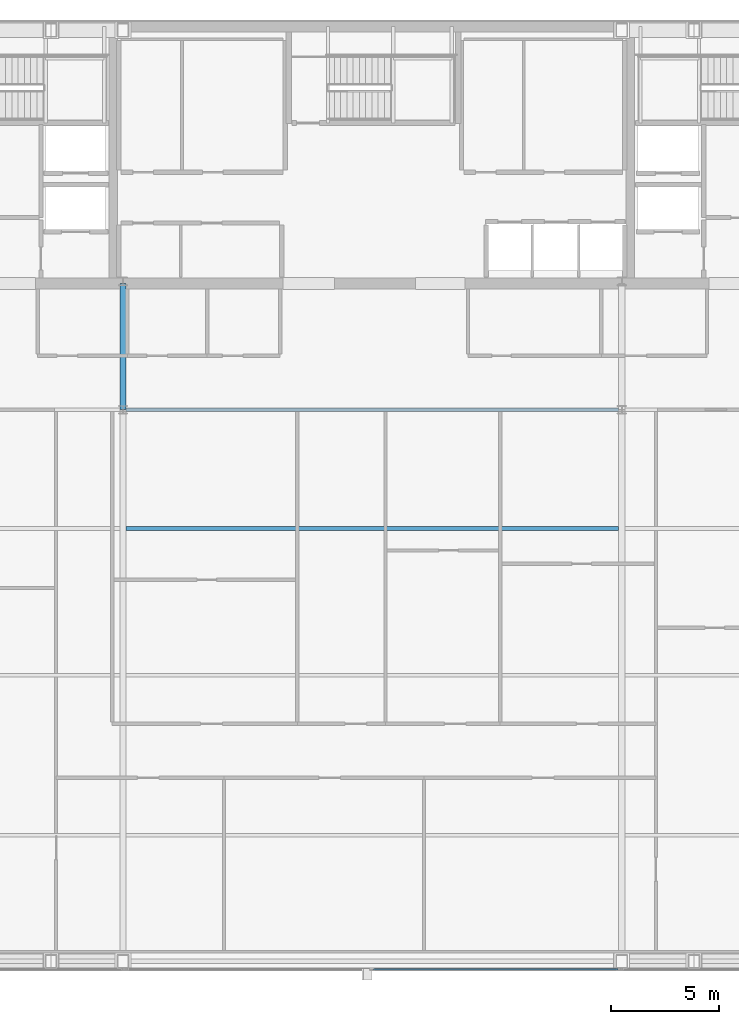
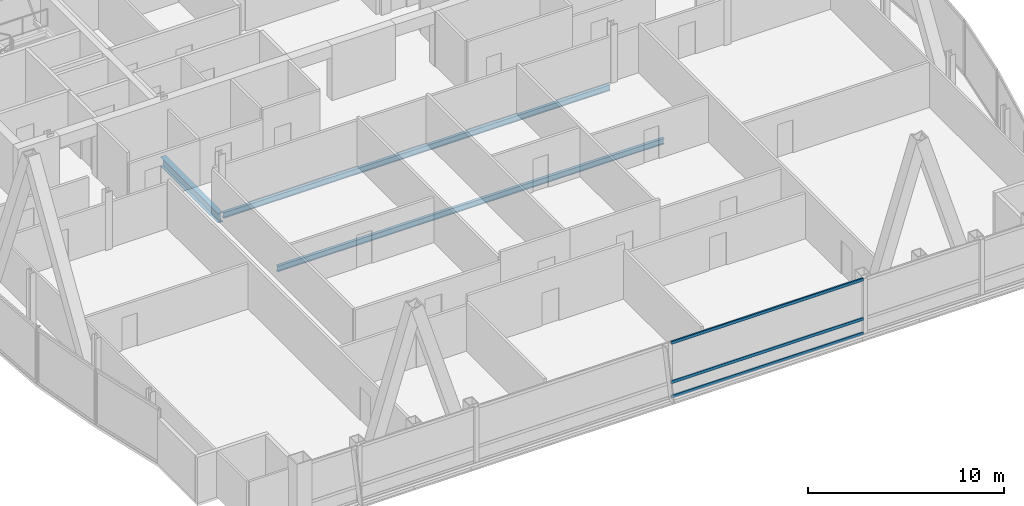
# One storey, part 14 of 31: 3 beams, 3 members, 1 element without a shape of its own.
"""IFC4 building model written with IfcOpenShell, lengths in metres."""

from ifc_helpers import new_model, si_unit, direction, frame, origin, origin_2d, place, context, subcontext, project, spatial, hollow_rectangle, i_section, extrude, material, material_profile, profile_set, type_object, element, aggregate, save


model = new_model("IFC4")

# Units and contexts
model_context = context("Model", 3, precision=1e-05, world=origin(), true_north=direction((0.0, 1.0)))
body_context = subcontext(model_context, "Body", "Model", "MODEL_VIEW")
ifc_project = project(units=[si_unit("LENGTHUNIT", "METRE"), si_unit("AREAUNIT", "SQUARE_METRE"), si_unit("VOLUMEUNIT", "CUBIC_METRE"), si_unit("PLANEANGLEUNIT", "RADIAN"), si_unit("MASSUNIT", "GRAM", prefix="KILO")], contexts=[model_context])

# Site, building, storey
site_placement = place(None, origin())
site = spatial("IfcSite", under=ifc_project, at=site_placement, CompositionType="ELEMENT")
building_placement = place(site_placement, origin())
building = spatial("IfcBuilding", under=site, at=building_placement, Name="Khoronbel Lancet Exchange", CompositionType="ELEMENT")
storey_placement = place(building_placement, frame((0.0, 0.0, 325.39990234375)))
storey = spatial("IfcBuildingStorey", under=building, at=storey_placement, Name="L84", CompositionType="ELEMENT", Elevation=325.39990234375)

# Beams
ifc_material_1 = material(Name="Steel S355", Category="steel")
ifc_material_profile_1 = material_profile(ifc_material_1, i_section(OverallWidth=0.300048828125, OverallDepth=0.60009765625, WebThickness=0.015380859375, FlangeThickness=0.030029296875, at=origin_2d()), Name="HEB 600")
ifc_profile_set_1 = profile_set([ifc_material_profile_1], Name="Steel S355")
beam_type_1 = type_object("IfcBeamType", Name="BM-BG5", PredefinedType="BEAM", material=ifc_profile_set_1)
beam_placement = place(storey_placement, frame((24.89990234375, 35.699951171875, -0.4599609375), z_axis=(0.0, 1.0, 0.0), x_axis=(-1.0, 0.0, 0.0)))
element("IfcBeam", 1, at=beam_placement, inside=storey, type_object=beam_type_1, Name="Level L84 spine tie girder GN2", PredefinedType="BEAM", context=body_context, shape_type="SweptSolid", body=[
    extrude(i_section(OverallWidth=0.300048828125, OverallDepth=0.60009765625, WebThickness=0.015380859375, FlangeThickness=0.030029296875, at=origin_2d()), origin(), (0.0, 0.0, 1.0), 5.85009765625),
])
ifc_material_profile_2 = material_profile(ifc_material_1, i_section(OverallWidth=0.169921875, OverallDepth=0.360107421875, WebThickness=0.008056640625, FlangeThickness=0.0126953125, at=origin_2d()), Name="IPE 360")
ifc_profile_set_2 = profile_set([ifc_material_profile_2], Name="Steel S355")
beam_type_2 = type_object("IfcBeamType", Name="BM-BJ6", PredefinedType="JOIST", material=ifc_profile_set_2)
for number, where, z_axis, x_axis, name in (
    (2, (25.050048828125, 30.199951171875, -0.33984375), (1.0, 0.0, 0.0), (0.0, 1.0, 0.0), "Level L84 secondary composite joist J08"),
    (3, (25.050048828125, 35.699951171875, -0.33984375), (1.0, 0.0, 0.0), (0.0, 1.0, 0.0), "Level L84 secondary composite joist J11"),
):
    element("IfcBeam", number, at=place(storey_placement, frame(where, z_axis=z_axis, x_axis=x_axis)), inside=storey, type_object=beam_type_2, Name=name, PredefinedType="JOIST", context=body_context, shape_type="SweptSolid", body=[
        extrude(i_section(OverallWidth=0.169921875, OverallDepth=0.360107421875, WebThickness=0.008056640625, FlangeThickness=0.0126953125, at=origin_2d()), origin(), (0.0, 0.0, 1.0), 22.800048828125),
    ])

# Curtain wall, members
ifc_material_2 = material(Name="Low-E Solar Control Insulating Glass", Category="glass")
curtain_wall_type = type_object("IfcCurtainWallType", Name="CW-3", PredefinedType="NOTDEFINED", material=ifc_material_2)
curtain_wall_placement = place(storey_placement, origin())
curtain_wall = element("IfcCurtainWall", 4, at=curtain_wall_placement, inside=storey, type_object=curtain_wall_type, Name="Unitised curtain wall CW-L84-SCV", PredefinedType="NOTDEFINED")
ifc_material_3 = material(Name="Bronze-Anodised Aluminium 6063-T6", Category="aluminium")
ifc_material_profile_3 = material_profile(ifc_material_3, hollow_rectangle(XDim=0.0849609375, YDim=0.179931640625, WallThickness=0.0048828125, at=origin_2d()), Name="ALU TRANSOM 85x180")
ifc_profile_set_3 = profile_set([ifc_material_profile_3], Name="Bronze-Anodised Aluminium 6063-T6")
member_type = type_object("IfcMemberType", Name="MEM-CWT1", PredefinedType="USERDEFINED", material=ifc_profile_set_3)
member_1_placement = place(storey_placement, frame((36.492431640625, 9.7900390625, 0.04248046875), z_axis=(1.0, 0.0, 0.0), x_axis=(0.0, 1.0, 0.0)))
member_1 = element("IfcMember", 5, at=member_1_placement, type_object=member_type, Name="CW3 transom 2.1", ObjectType="TRANSOM", PredefinedType="USERDEFINED", context=body_context, shape_type="SweptSolid", body=[
    extrude(hollow_rectangle(XDim=0.0849609375, YDim=0.179931640625, WallThickness=0.0048828125, at=origin_2d()), origin(), (0.0, 0.0, 1.0), 11.322509765625),
])
member_2_placement = place(storey_placement, frame((36.492431640625, 9.7900390625, 0.9501953125), z_axis=(1.0, 0.0, 0.0), x_axis=(0.0, 1.0, 0.0)))
member_2 = element("IfcMember", 6, at=member_2_placement, type_object=member_type, Name="CW3 transom 2.2", ObjectType="TRANSOM", PredefinedType="USERDEFINED", context=body_context, shape_type="SweptSolid", body=[
    extrude(hollow_rectangle(XDim=0.0849609375, YDim=0.179931640625, WallThickness=0.0048828125, at=origin_2d()), origin(), (0.0, 0.0, 1.0), 11.322509765625),
])
member_3_placement = place(storey_placement, frame((36.492431640625, 9.7900390625, 3.397705078125), z_axis=(1.0, 0.0, 0.0), x_axis=(0.0, 1.0, 0.0)))
member_3 = element("IfcMember", 7, at=member_3_placement, type_object=member_type, Name="CW3 transom 2.3", ObjectType="TRANSOM", PredefinedType="USERDEFINED", context=body_context, shape_type="SweptSolid", body=[
    extrude(hollow_rectangle(XDim=0.0849609375, YDim=0.179931640625, WallThickness=0.0048828125, at=origin_2d()), origin(), (0.0, 0.0, 1.0), 11.322509765625),
])
aggregate(curtain_wall, [member_1, member_2, member_3])

save(model, "model.ifc")
